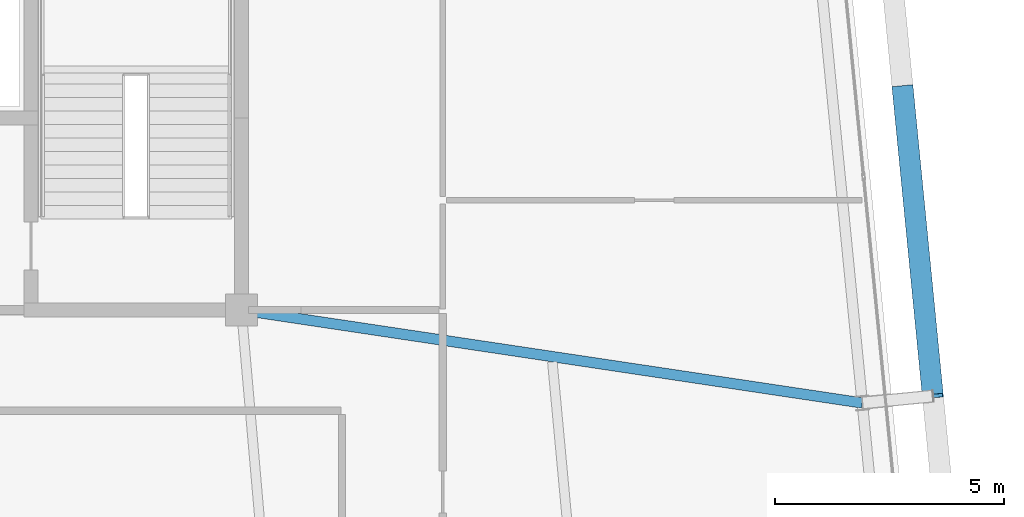
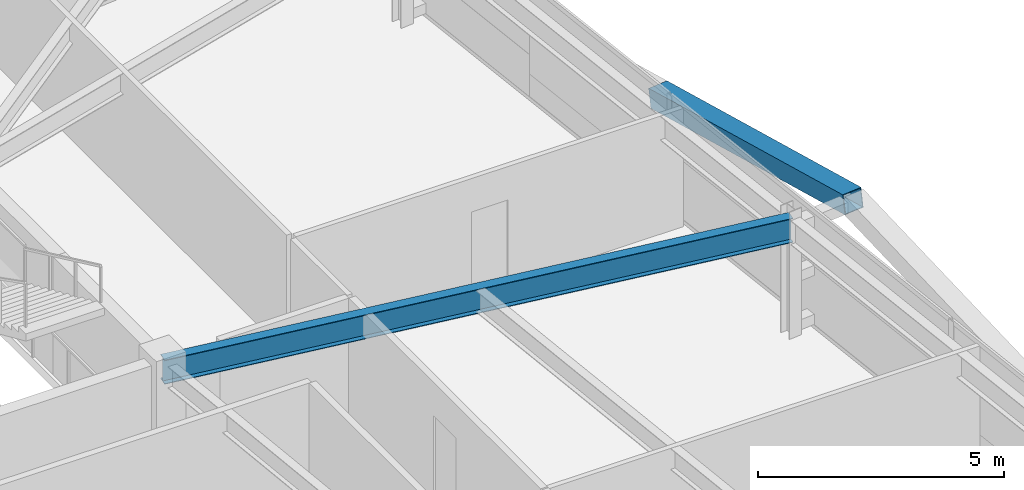
# One storey, part 22 of 47: 1 beam, 1 member.
"""IFC4 building model written with IfcOpenShell, lengths in metres."""

from ifc_helpers import new_model, si_unit, direction, frame, origin, origin_2d, place, context, subcontext, project, spatial, hollow_rectangle, i_section, extrude, source, transform, mapped, material, material_profile, profile_set, type_object, element, save


model = new_model("IFC4")

# Units and contexts
model_context = context("Model", 3, precision=1e-05, world=origin(), true_north=direction((0.0, 1.0)))
body_context = subcontext(model_context, "Body", "Model", "MODEL_VIEW")
ifc_project = project(units=[si_unit("LENGTHUNIT", "METRE"), si_unit("AREAUNIT", "SQUARE_METRE"), si_unit("VOLUMEUNIT", "CUBIC_METRE"), si_unit("PLANEANGLEUNIT", "RADIAN"), si_unit("MASSUNIT", "GRAM", prefix="KILO")], contexts=[model_context])

# Site, building, storey
site_placement = place(None, origin())
site = spatial("IfcSite", under=ifc_project, at=site_placement, CompositionType="ELEMENT")
building_placement = place(site_placement, origin())
building = spatial("IfcBuilding", under=site, at=building_placement, Name="Taldren Reach Tower", CompositionType="ELEMENT")
storey_placement = place(building_placement, frame((0.0, 0.0, 87.14990234375)))
storey = spatial("IfcBuildingStorey", under=building, at=storey_placement, Name="L26", CompositionType="ELEMENT", Elevation=87.14990234375)

# Beam
ifc_material_1 = material(Name="Steel Gr 350 (350PLUS)", Category="steel")
ifc_material_profile_1 = material_profile(ifc_material_1, i_section(OverallWidth=0.22802734375, OverallDepth=0.60205078125, WebThickness=0.010498046875, FlangeThickness=0.014892578125, at=origin_2d()), Name="610UB101")
ifc_profile_set_1 = profile_set([ifc_material_profile_1], Name="Steel Gr 350 (350PLUS)")
beam_type = type_object("IfcBeamType", Name="BM-UB610B", PredefinedType="BEAM", material=ifc_profile_set_1)
shared_shape_1 = source(origin(), body_context, "Body", "SweptSolid", [
    extrude(i_section(OverallWidth=0.22802734375, OverallDepth=0.60205078125, WebThickness=0.010498046875, FlangeThickness=0.014892578125, at=origin_2d()), origin(), (0.0, 0.0, 1.0), 13.720703125),
])
beam_placement = place(storey_placement, frame((51.0, 24.0, 2.629150390625), z_axis=(0.988983679407, -0.148024598856, 0.0), x_axis=(0.148024598856, 0.988983679407, 0.0)))
element("IfcBeam", 1, at=beam_placement, inside=storey, type_object=beam_type, Name="Primary floor girder B2-E2 L26", PredefinedType="BEAM", context=body_context, shape_type="MappedRepresentation", body=[
    mapped(shared_shape_1, transform((0.0, 0.0, 0.0), scale=1.0)),
])

# Member
ifc_material_2 = material(Name="Steel Gr 450 (C450L0)", Category="steel")
ifc_material_profile_2 = material_profile(ifc_material_2, hollow_rectangle(XDim=0.4599609375, YDim=0.4599609375, WallThickness=0.01611328125, at=origin_2d()), Name="460x460x16.0SHS")
ifc_profile_set_2 = profile_set([ifc_material_profile_2], Name="Steel Gr 450 (C450L0)")
member_type = type_object("IfcMemberType", Name="MB-EXO457", PredefinedType="BRACE", material=ifc_profile_set_2)
shared_shape_2 = source(origin(), body_context, "Body", "SweptSolid", [
    extrude(hollow_rectangle(XDim=0.4599609375, YDim=0.4599609375, WallThickness=0.01611328125, at=origin_2d()), origin(), (0.0, 0.0, 1.0), 6.883056640625),
])
member_placement = place(storey_placement, frame((65.450927734375, 28.86279296875, 1.43505859375), z_axis=(0.09605145821, -0.97959718347, 0.176531797456), x_axis=(0.995227290009, 0.097584021339, 0.0)))
element("IfcMember", 2, at=member_placement, inside=storey, type_object=member_type, Name="Exoskeleton Diagrid Brace B2-E2 L26", PredefinedType="BRACE", context=body_context, shape_type="MappedRepresentation", body=[
    mapped(shared_shape_2, transform((0.0, 0.0, 0.0), scale=1.0)),
])

save(model, "model.ifc")
